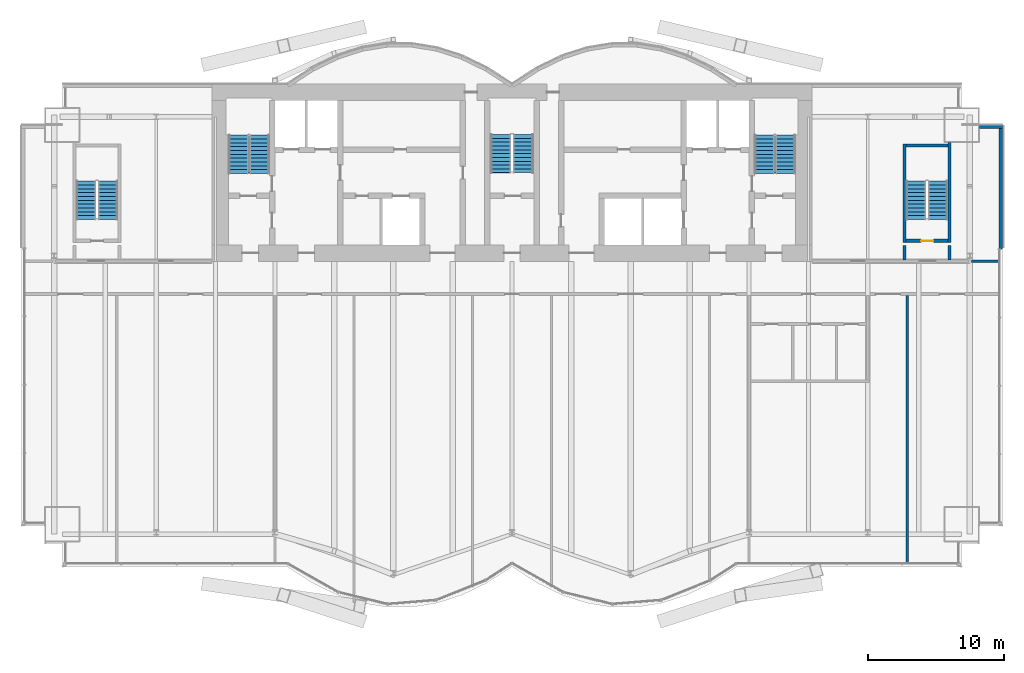
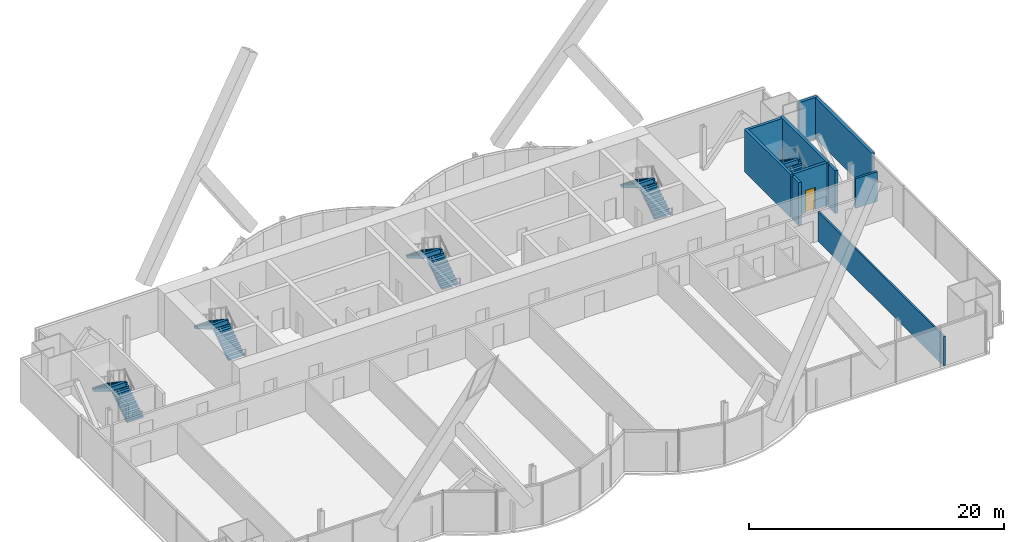
# One storey, part 20 of 23: 10 stair flights, 10 walls, 1 door, 1 opening, 5 elements without a shape of their own.
"""IFC4 building model written with IfcOpenShell, lengths in metres."""

from ifc_helpers import new_model, si_unit, direction, frame, frame_2d, origin, place, context, subcontext, project, spatial, polyline, rectangle, outline, extrude, material, layer, layer_set, layer_usage, type_object, element, fill, aggregate, save


model = new_model("IFC4")

# Units and contexts
model_context = context("Model", 3, precision=1e-05, world=origin(), true_north=direction((0.0, 1.0)))
body_context = subcontext(model_context, "Body", "Model", "MODEL_VIEW")
ifc_project = project(units=[si_unit("LENGTHUNIT", "METRE"), si_unit("AREAUNIT", "SQUARE_METRE"), si_unit("VOLUMEUNIT", "CUBIC_METRE"), si_unit("PLANEANGLEUNIT", "RADIAN"), si_unit("MASSUNIT", "GRAM", prefix="KILO")], contexts=[model_context])

# Site, building, storey
site_placement = place(None, origin())
site = spatial("IfcSite", under=ifc_project, at=site_placement, CompositionType="ELEMENT")
building_placement = place(site_placement, origin())
building = spatial("IfcBuilding", under=site, at=building_placement, Name="Bicima Exchange Tower", CompositionType="ELEMENT")
storey_placement = place(building_placement, frame((0.0, 0.0, 152.699951171875)))
storey = spatial("IfcBuildingStorey", under=building, at=storey_placement, Name="L33", CompositionType="ELEMENT", Elevation=152.699951171875)

# Walls
ifc_material_1 = material(Name="Gypsum board partition")
ifc_layer_1 = layer(ifc_material_1, 0.199951171875)
ifc_layer_set_1 = layer_set([ifc_layer_1], Name="Gypsum board partition")
wall_type_1 = type_object("IfcWallType", Name="Fire-rated gypsum partition 200 EI60", PredefinedType="PARTITIONING", material=ifc_layer_set_1)
wall_1_placement = place(storey_placement, frame((33.719970703125, -13.0, 0.0), z_axis=(0.0, 0.0, 1.0), x_axis=(1.0, 0.0, 0.0)))
element("IfcWall", 1, at=wall_1_placement, inside=storey, type_object=wall_type_1, Name="partition wall 7", PredefinedType="PARTITIONING", context=body_context, shape_type="SweptSolid", body=[
    extrude(rectangle(XDim=1.9599609375, YDim=0.199951171875, at=frame_2d((0.97998046875, 0.0))), origin(), (0.0, 0.0, 1.0), 2.84033203125),
])
ifc_layer_2 = layer(ifc_material_1, 0.14990234375)
ifc_layer_set_2 = layer_set([ifc_layer_2], Name="Gypsum board partition")
wall_type_2 = type_object("IfcWallType", Name="Gypsum partition 150", PredefinedType="PARTITIONING", material=ifc_layer_set_2)
wall_2_placement = place(storey_placement, frame((29.0, -35.199951171875, 0.0), z_axis=(0.0, 0.0, 1.0), x_axis=(0.0, 1.0, 0.0)))
element("IfcWall", 2, at=wall_2_placement, inside=storey, type_object=wall_type_2, Name="partition wall 29", PredefinedType="PARTITIONING", context=body_context, shape_type="SweptSolid", body=[
    extrude(rectangle(XDim=19.699951171875, YDim=0.14990234375, at=frame_2d((9.85009765625, 0.0))), origin(), (0.0, 0.0, 1.0), 2.84033203125),
])
ifc_material_2 = material(Name="Concrete C50/60", Category="concrete")
ifc_layer_3 = layer(ifc_material_2, 0.25)
ifc_layer_set_3 = layer_set([ifc_layer_3], Name="Concrete C50/60")
wall_type_3 = type_object("IfcWallType", Name="RC core wall 250 C50/60", PredefinedType="SHEAR", material=ifc_layer_set_3)
for number, where, z_axis, x_axis, name in (
    (3, (28.800048828125, -12.89990234375, 0.0), (0.0, 0.0, 1.0), (0.0, 1.0, 0.0), "stair wall 28"),
    (4, (32.10009765625, -12.89990234375, 0.0), (0.0, 0.0, 1.0), (0.0, 1.0, 0.0), "stair wall 30"),
):
    element("IfcWall", number, at=place(storey_placement, frame(where, z_axis=z_axis, x_axis=x_axis)), inside=storey, type_object=wall_type_3, Name=name, PredefinedType="SHEAR", context=body_context, shape_type="SweptSolid", body=[
        extrude(rectangle(XDim=1.0498046875, YDim=0.25, at=frame_2d((0.52490234375, 0.0))), origin(), (0.0, 0.0, 1.0), 4.10009765625),
    ])
ifc_layer_4 = layer(ifc_material_2, 0.25)
ifc_layer_set_4 = layer_set([ifc_layer_4], Name="Concrete C50/60")
wall_type_4 = type_object("IfcWallType", Name="RC stair enclosure wall 250 C50/60", PredefinedType="SHEAR", material=ifc_layer_set_4)
wall_3_placement = place(storey_placement, frame((28.800048828125, -11.625, 0.0), z_axis=(0.0, 0.0, 1.0), x_axis=(0.0, 1.0, 0.0)))
element("IfcWall", 5, at=wall_3_placement, inside=storey, type_object=wall_type_4, Name="East end exit stair wall W", PredefinedType="SHEAR", context=body_context, shape_type="SweptSolid", body=[
    extrude(rectangle(XDim=7.25, YDim=0.25, at=frame_2d((3.625, 0.0))), origin(), (0.0, 0.0, 1.0), 4.10009765625),
])
wall_4_placement = place(storey_placement, frame((32.10009765625, -11.625, 0.0), z_axis=(0.0, 0.0, 1.0), x_axis=(0.0, 1.0, 0.0)))
element("IfcWall", 6, at=wall_4_placement, inside=storey, type_object=wall_type_4, Name="East end exit stair wall E", PredefinedType="SHEAR", context=body_context, shape_type="SweptSolid", body=[
    extrude(rectangle(XDim=7.324951171875, YDim=0.25, at=frame_2d((3.66259765625, 0.0))), origin(), (0.0, 0.0, 1.0), 4.10009765625),
])

# Wall, opening, door
wall_5_placement = place(storey_placement, frame((28.925048828125, -11.5, 0.0), z_axis=(0.0, 0.0, 1.0), x_axis=(1.0, 0.0, 0.0)))
wall_5 = element("IfcWall", 7, at=wall_5_placement, inside=storey, type_object=wall_type_4, Name="East end exit stair wall S", PredefinedType="SHEAR", context=body_context, shape_type="SweptSolid", body=[
    extrude(rectangle(XDim=3.050048828125, YDim=0.25, at=frame_2d((1.52490234375, 0.0))), origin(), (0.0, 0.0, 1.0), 4.10009765625),
])
opening_placement = place(wall_5_placement, frame((1.10009765625, 0.0, 0.0)))
opening = element("IfcOpeningElement", 8, at=opening_placement, cuts=wall_5, Name="Opening L33-004", PredefinedType="OPENING", context=body_context, shape_type="SweptSolid", body=[
    extrude(rectangle(XDim=0.89990234375, YDim=2.10009765625, at=frame_2d((0.449951171875, 1.050048828125))), frame((0.0, 0.136962890625, 0.0), z_axis=(0.0, -1.0, 0.0), x_axis=(1.0, 0.0, 0.0)), (0.0, 0.0, 1.0), 0.27392578125),
])
ifc_material_3 = material(Name="Steel fire door leaf", Category="steel")
door_type = type_object("IfcDoorType", Name="Door 900 swing FD60S", OperationType="SINGLE_SWING_LEFT", PredefinedType="DOOR", material=ifc_material_3)
door_placement = place(opening_placement, origin())
door = element("IfcDoor", 9, at=door_placement, inside=storey, type_object=door_type, Name="Door", OperationType="SINGLE_SWING_LEFT", OverallHeight=2.10009765625, OverallWidth=0.89990234375, PredefinedType="DOOR", context=body_context, shape_type="SweptSolid", body=[
    extrude(rectangle(XDim=0.89990234375, YDim=2.10009765625, at=frame_2d((0.449951171875, 1.050048828125))), frame((0.0, 0.02490234375, 0.0), z_axis=(0.0, -1.0, 0.0), x_axis=(1.0, 0.0, 0.0)), (0.0, 0.0, 1.0), 0.050048828125),
])
fill(opening, door)

# Walls
wall_6_placement = place(storey_placement, frame((28.925048828125, -4.5, 0.0), z_axis=(0.0, 0.0, 1.0), x_axis=(1.0, 0.0, 0.0)))
element("IfcWall", 10, at=wall_6_placement, inside=storey, type_object=wall_type_4, Name="East end exit stair wall N", PredefinedType="SHEAR", context=body_context, shape_type="SweptSolid", body=[
    extrude(rectangle(XDim=3.050048828125, YDim=0.25, at=frame_2d((1.52490234375, 0.0))), origin(), (0.0, 0.0, 1.0), 4.10009765625),
])
ifc_material_4 = material(Name="Concrete C40/50", Category="concrete")
ifc_layer_5 = layer(ifc_material_4, 0.25)
ifc_layer_set_5 = layer_set([ifc_layer_5], Name="Concrete C40/50")
ifc_layer_usage = layer_usage(ifc_layer_set_5, "AXIS2", "POSITIVE", -0.125)
wall_type_5 = type_object("IfcWallType", Name="Rear backup wall 250", PredefinedType="STANDARD", material=ifc_layer_set_5)
wall_7_placement = place(storey_placement, frame((35.875, -12.090087890625, 0.0), z_axis=(0.0, 0.0, 1.0), x_axis=(0.0, 1.0, 0.0)))
element("IfcWall", 11, at=wall_7_placement, inside=storey, type_object=wall_type_5, material=ifc_layer_usage, Name="Rear backup wall L33 50", PredefinedType="STANDARD", context=body_context, shape_type="SweptSolid", body=[
    extrude(rectangle(XDim=9.090087890625, YDim=0.25, at=frame_2d((4.544921875, 0.0))), origin(), (0.0, 0.0, 1.0), 3.949951171875),
])
wall_8_placement = place(storey_placement, frame((36.0, -3.125, 0.0), z_axis=(0.0, 0.0, 1.0), x_axis=(-1.0, 0.0, 0.0)))
element("IfcWall", 12, at=wall_8_placement, inside=storey, type_object=wall_type_5, material=ifc_layer_usage, Name="Rear backup wall L33 51", PredefinedType="STANDARD", context=body_context, shape_type="SweptSolid", body=[
    extrude(rectangle(XDim=1.699951171875, YDim=0.25, at=frame_2d((0.85009765625, 0.0))), origin(), (0.0, 0.0, 1.0), 3.949951171875),
])

# Stair, stair flights
stair_type_1 = type_object("IfcStairType", Name="Exit stair", PredefinedType="HALF_TURN_STAIR", material=ifc_material_2)
stair_1_placement = place(storey_placement, origin())
stair_1 = element("IfcStair", 13, at=stair_1_placement, inside=storey, type_object=stair_type_1, Name="L33 West exit stair", PredefinedType="HALF_TURN_STAIR")
stair_flight_type_1 = type_object("IfcStairFlightType", Name="Stair flight RC", PredefinedType="STRAIGHT", material=ifc_material_2)
stair_flight_1_placement = place(storey_placement, frame((-18.52490234375, -6.550048828125, 0.0), z_axis=(0.0, 0.0, 1.0), x_axis=(0.0, 1.0, 0.0)))
stair_flight_1 = element("IfcStairFlight", 14, at=stair_flight_1_placement, type_object=stair_flight_type_1, Name="ST-W flight 1", NumberOfRisers=11, NumberOfTreads=10, PredefinedType="STRAIGHT", RiserHeight=0.186363636, TreadLength=0.28, context=body_context, shape_type="SweptSolid", body=[
    extrude(outline(polyline([(0.0, 0.0), (0.0, 0.186279296875), (0.280029296875, 0.186279296875), (0.280029296875, 0.372802734375), (0.56005859375, 0.372802734375), (0.56005859375, 0.55908203125), (0.840087890625, 0.55908203125), (0.840087890625, 0.745361328125), (1.1201171875, 0.745361328125), (1.1201171875, 0.931884765625), (1.39990234375, 0.931884765625), (1.39990234375, 1.1181640625), (1.679931640625, 1.1181640625), (1.679931640625, 1.304443359375), (1.9599609375, 1.304443359375), (1.9599609375, 1.490966796875), (2.239990234375, 1.490966796875), (2.239990234375, 1.67724609375), (2.52001953125, 1.67724609375), (2.52001953125, 1.863525390625), (2.800048828125, 1.863525390625), (2.800048828125, 2.050048828125), (2.800048828125, 1.68359375), (0.2705078125, 0.0), (0.0, 0.0)])), frame((0.0, 0.72509765625, 0.0), z_axis=(0.0, -1.0, 0.0), x_axis=(1.0, 0.0, 0.0)), (0.0, 0.0, 1.0), 1.449951171875),
])
stair_flight_2_placement = place(storey_placement, frame((-20.074951171875, -3.75, 2.050048828125), z_axis=(0.0, 0.0, 1.0), x_axis=(0.0, -1.0, 0.0)))
stair_flight_2 = element("IfcStairFlight", 15, at=stair_flight_2_placement, type_object=stair_flight_type_1, Name="ST-W flight 2", NumberOfRisers=11, NumberOfTreads=10, PredefinedType="STRAIGHT", RiserHeight=0.186363636, TreadLength=0.28, context=body_context, shape_type="SweptSolid", body=[
    extrude(outline(polyline([(0.0, 0.0), (0.0, 0.186279296875), (0.280029296875, 0.186279296875), (0.280029296875, 0.372802734375), (0.56005859375, 0.372802734375), (0.56005859375, 0.55908203125), (0.840087890625, 0.55908203125), (0.840087890625, 0.745361328125), (1.1201171875, 0.745361328125), (1.1201171875, 0.931884765625), (1.39990234375, 0.931884765625), (1.39990234375, 1.1181640625), (1.679931640625, 1.1181640625), (1.679931640625, 1.304443359375), (1.9599609375, 1.304443359375), (1.9599609375, 1.490966796875), (2.239990234375, 1.490966796875), (2.239990234375, 1.67724609375), (2.52001953125, 1.67724609375), (2.52001953125, 1.863525390625), (2.800048828125, 1.863525390625), (2.800048828125, 1.904052734375), (2.81494140625, 1.904052734375), (2.81494140625, 1.507080078125), (0.2705078125, 0.0), (0.0, 0.0)])), frame((0.0, 0.72509765625, 0.0), z_axis=(0.0, -1.0, 0.0), x_axis=(1.0, 0.0, 0.0)), (0.0, 0.0, 1.0), 1.449951171875),
])
aggregate(stair_1, [stair_flight_1, stair_flight_2])

stair_2_placement = place(storey_placement, origin())
stair_2 = element("IfcStair", 16, at=stair_2_placement, inside=storey, type_object=stair_type_1, Name="L33 East exit stair", PredefinedType="HALF_TURN_STAIR")
stair_flight_3_placement = place(storey_placement, frame((20.074951171875, -6.550048828125, 0.0), z_axis=(0.0, 0.0, 1.0), x_axis=(0.0, 1.0, 0.0)))
stair_flight_3 = element("IfcStairFlight", 17, at=stair_flight_3_placement, type_object=stair_flight_type_1, Name="ST-E flight 1", NumberOfRisers=11, NumberOfTreads=10, PredefinedType="STRAIGHT", RiserHeight=0.186363636, TreadLength=0.28, context=body_context, shape_type="SweptSolid", body=[
    extrude(outline(polyline([(0.0, 0.0), (0.0, 0.186279296875), (0.280029296875, 0.186279296875), (0.280029296875, 0.372802734375), (0.56005859375, 0.372802734375), (0.56005859375, 0.55908203125), (0.840087890625, 0.55908203125), (0.840087890625, 0.745361328125), (1.1201171875, 0.745361328125), (1.1201171875, 0.931884765625), (1.39990234375, 0.931884765625), (1.39990234375, 1.1181640625), (1.679931640625, 1.1181640625), (1.679931640625, 1.304443359375), (1.9599609375, 1.304443359375), (1.9599609375, 1.490966796875), (2.239990234375, 1.490966796875), (2.239990234375, 1.67724609375), (2.52001953125, 1.67724609375), (2.52001953125, 1.863525390625), (2.800048828125, 1.863525390625), (2.800048828125, 2.050048828125), (2.800048828125, 1.68359375), (0.2705078125, 0.0), (0.0, 0.0)])), frame((0.0, 0.72509765625, 0.0), z_axis=(0.0, -1.0, 0.0), x_axis=(1.0, 0.0, 0.0)), (0.0, 0.0, 1.0), 1.449951171875),
])
stair_flight_4_placement = place(storey_placement, frame((18.52490234375, -3.75, 2.050048828125), z_axis=(0.0, 0.0, 1.0), x_axis=(0.0, -1.0, 0.0)))
stair_flight_4 = element("IfcStairFlight", 18, at=stair_flight_4_placement, type_object=stair_flight_type_1, Name="ST-E flight 2", NumberOfRisers=11, NumberOfTreads=10, PredefinedType="STRAIGHT", RiserHeight=0.186363636, TreadLength=0.28, context=body_context, shape_type="SweptSolid", body=[
    extrude(outline(polyline([(0.0, 0.0), (0.0, 0.186279296875), (0.280029296875, 0.186279296875), (0.280029296875, 0.372802734375), (0.56005859375, 0.372802734375), (0.56005859375, 0.55908203125), (0.840087890625, 0.55908203125), (0.840087890625, 0.745361328125), (1.1201171875, 0.745361328125), (1.1201171875, 0.931884765625), (1.39990234375, 0.931884765625), (1.39990234375, 1.1181640625), (1.679931640625, 1.1181640625), (1.679931640625, 1.304443359375), (1.9599609375, 1.304443359375), (1.9599609375, 1.490966796875), (2.239990234375, 1.490966796875), (2.239990234375, 1.67724609375), (2.52001953125, 1.67724609375), (2.52001953125, 1.863525390625), (2.800048828125, 1.863525390625), (2.800048828125, 1.904052734375), (2.81494140625, 1.904052734375), (2.81494140625, 1.507080078125), (0.2705078125, 0.0), (0.0, 0.0)])), frame((0.0, 0.72509765625, 0.0), z_axis=(0.0, -1.0, 0.0), x_axis=(1.0, 0.0, 0.0)), (0.0, 0.0, 1.0), 1.449951171875),
])
aggregate(stair_2, [stair_flight_3, stair_flight_4])

stair_3_placement = place(storey_placement, origin())
stair_3 = element("IfcStair", 19, at=stair_3_placement, inside=storey, type_object=stair_type_1, Name="L33 West end exit stair", PredefinedType="HALF_TURN_STAIR")
stair_flight_5_placement = place(storey_placement, frame((-29.64990234375, -9.925048828125, 0.0), z_axis=(0.0, 0.0, 1.0), x_axis=(0.0, 1.0, 0.0)))
stair_flight_5 = element("IfcStairFlight", 20, at=stair_flight_5_placement, type_object=stair_flight_type_1, Name="ST-WW flight 1", NumberOfRisers=11, NumberOfTreads=10, PredefinedType="STRAIGHT", RiserHeight=0.186363636, TreadLength=0.28, context=body_context, shape_type="SweptSolid", body=[
    extrude(outline(polyline([(0.0, 0.0), (0.0, 0.186279296875), (0.280029296875, 0.186279296875), (0.280029296875, 0.372802734375), (0.56005859375, 0.372802734375), (0.56005859375, 0.55908203125), (0.840087890625, 0.55908203125), (0.840087890625, 0.745361328125), (1.1201171875, 0.745361328125), (1.1201171875, 0.931884765625), (1.39990234375, 0.931884765625), (1.39990234375, 1.1181640625), (1.679931640625, 1.1181640625), (1.679931640625, 1.304443359375), (1.9599609375, 1.304443359375), (1.9599609375, 1.490966796875), (2.239990234375, 1.490966796875), (2.239990234375, 1.67724609375), (2.52001953125, 1.67724609375), (2.52001953125, 1.863525390625), (2.800048828125, 1.863525390625), (2.800048828125, 2.050048828125), (2.800048828125, 1.68359375), (0.2705078125, 0.0), (0.0, 0.0)])), frame((0.0, 0.72509765625, 0.0), z_axis=(0.0, -1.0, 0.0), x_axis=(1.0, 0.0, 0.0)), (0.0, 0.0, 1.0), 1.449951171875),
])
stair_flight_6_placement = place(storey_placement, frame((-31.25, -7.125, 2.050048828125), z_axis=(0.0, 0.0, 1.0), x_axis=(0.0, -1.0, 0.0)))
stair_flight_6 = element("IfcStairFlight", 21, at=stair_flight_6_placement, type_object=stair_flight_type_1, Name="ST-WW flight 2", NumberOfRisers=11, NumberOfTreads=10, PredefinedType="STRAIGHT", RiserHeight=0.186363636, TreadLength=0.28, context=body_context, shape_type="SweptSolid", body=[
    extrude(outline(polyline([(0.0, 0.0), (0.0, 0.186279296875), (0.280029296875, 0.186279296875), (0.280029296875, 0.372802734375), (0.56005859375, 0.372802734375), (0.56005859375, 0.55908203125), (0.840087890625, 0.55908203125), (0.840087890625, 0.745361328125), (1.1201171875, 0.745361328125), (1.1201171875, 0.931884765625), (1.39990234375, 0.931884765625), (1.39990234375, 1.1181640625), (1.679931640625, 1.1181640625), (1.679931640625, 1.304443359375), (1.9599609375, 1.304443359375), (1.9599609375, 1.490966796875), (2.239990234375, 1.490966796875), (2.239990234375, 1.67724609375), (2.52001953125, 1.67724609375), (2.52001953125, 1.863525390625), (2.800048828125, 1.863525390625), (2.800048828125, 1.904052734375), (2.81494140625, 1.904052734375), (2.81494140625, 1.507080078125), (0.2705078125, 0.0), (0.0, 0.0)])), frame((0.0, 0.72509765625, 0.0), z_axis=(0.0, -1.0, 0.0), x_axis=(1.0, 0.0, 0.0)), (0.0, 0.0, 1.0), 1.449951171875),
])
aggregate(stair_3, [stair_flight_5, stair_flight_6])

stair_4_placement = place(storey_placement, origin())
stair_4 = element("IfcStair", 22, at=stair_4_placement, inside=storey, type_object=stair_type_1, Name="L33 East end exit stair", PredefinedType="HALF_TURN_STAIR")
stair_flight_7_placement = place(storey_placement, frame((31.25, -9.925048828125, 0.0), z_axis=(0.0, 0.0, 1.0), x_axis=(0.0, 1.0, 0.0)))
stair_flight_7 = element("IfcStairFlight", 23, at=stair_flight_7_placement, type_object=stair_flight_type_1, Name="ST-EE flight 1", NumberOfRisers=11, NumberOfTreads=10, PredefinedType="STRAIGHT", RiserHeight=0.186363636, TreadLength=0.28, context=body_context, shape_type="SweptSolid", body=[
    extrude(outline(polyline([(0.0, 0.0), (0.0, 0.186279296875), (0.280029296875, 0.186279296875), (0.280029296875, 0.372802734375), (0.56005859375, 0.372802734375), (0.56005859375, 0.55908203125), (0.840087890625, 0.55908203125), (0.840087890625, 0.745361328125), (1.1201171875, 0.745361328125), (1.1201171875, 0.931884765625), (1.39990234375, 0.931884765625), (1.39990234375, 1.1181640625), (1.679931640625, 1.1181640625), (1.679931640625, 1.304443359375), (1.9599609375, 1.304443359375), (1.9599609375, 1.490966796875), (2.239990234375, 1.490966796875), (2.239990234375, 1.67724609375), (2.52001953125, 1.67724609375), (2.52001953125, 1.863525390625), (2.800048828125, 1.863525390625), (2.800048828125, 2.050048828125), (2.800048828125, 1.68359375), (0.2705078125, 0.0), (0.0, 0.0)])), frame((0.0, 0.72509765625, 0.0), z_axis=(0.0, -1.0, 0.0), x_axis=(1.0, 0.0, 0.0)), (0.0, 0.0, 1.0), 1.449951171875),
])
stair_flight_8_placement = place(storey_placement, frame((29.64990234375, -7.125, 2.050048828125), z_axis=(0.0, 0.0, 1.0), x_axis=(0.0, -1.0, 0.0)))
stair_flight_8 = element("IfcStairFlight", 24, at=stair_flight_8_placement, type_object=stair_flight_type_1, Name="ST-EE flight 2", NumberOfRisers=11, NumberOfTreads=10, PredefinedType="STRAIGHT", RiserHeight=0.186363636, TreadLength=0.28, context=body_context, shape_type="SweptSolid", body=[
    extrude(outline(polyline([(0.0, 0.0), (0.0, 0.186279296875), (0.280029296875, 0.186279296875), (0.280029296875, 0.372802734375), (0.56005859375, 0.372802734375), (0.56005859375, 0.55908203125), (0.840087890625, 0.55908203125), (0.840087890625, 0.745361328125), (1.1201171875, 0.745361328125), (1.1201171875, 0.931884765625), (1.39990234375, 0.931884765625), (1.39990234375, 1.1181640625), (1.679931640625, 1.1181640625), (1.679931640625, 1.304443359375), (1.9599609375, 1.304443359375), (1.9599609375, 1.490966796875), (2.239990234375, 1.490966796875), (2.239990234375, 1.67724609375), (2.52001953125, 1.67724609375), (2.52001953125, 1.863525390625), (2.800048828125, 1.863525390625), (2.800048828125, 1.904052734375), (2.81494140625, 1.904052734375), (2.81494140625, 1.507080078125), (0.2705078125, 0.0), (0.0, 0.0)])), frame((0.0, 0.72509765625, 0.0), z_axis=(0.0, -1.0, 0.0), x_axis=(1.0, 0.0, 0.0)), (0.0, 0.0, 1.0), 1.449951171875),
])
aggregate(stair_4, [stair_flight_7, stair_flight_8])

stair_type_2 = type_object("IfcStairType", Name="Exit stair 1500", PredefinedType="HALF_TURN_STAIR", material=ifc_material_2)
stair_5_placement = place(storey_placement, origin())
stair_5 = element("IfcStair", 25, at=stair_5_placement, inside=storey, type_object=stair_type_2, Name="L33 Central exit stair", PredefinedType="HALF_TURN_STAIR")
stair_flight_type_2 = type_object("IfcStairFlightType", Name="Stair flight RC 1500", PredefinedType="STRAIGHT", material=ifc_material_2)
stair_flight_9_placement = place(storey_placement, frame((0.824951171875, -6.5, 0.0), z_axis=(0.0, 0.0, 1.0), x_axis=(0.0, 1.0, 0.0)))
stair_flight_9 = element("IfcStairFlight", 26, at=stair_flight_9_placement, type_object=stair_flight_type_2, Name="ST-C flight 1", NumberOfRisers=11, NumberOfTreads=10, PredefinedType="STRAIGHT", RiserHeight=0.186363636, TreadLength=0.28, context=body_context, shape_type="SweptSolid", body=[
    extrude(outline(polyline([(0.0, 0.0), (0.0, 0.186279296875), (0.280029296875, 0.186279296875), (0.280029296875, 0.372802734375), (0.56005859375, 0.372802734375), (0.56005859375, 0.55908203125), (0.840087890625, 0.55908203125), (0.840087890625, 0.745361328125), (1.1201171875, 0.745361328125), (1.1201171875, 0.931884765625), (1.39990234375, 0.931884765625), (1.39990234375, 1.1181640625), (1.679931640625, 1.1181640625), (1.679931640625, 1.304443359375), (1.9599609375, 1.304443359375), (1.9599609375, 1.490966796875), (2.239990234375, 1.490966796875), (2.239990234375, 1.67724609375), (2.52001953125, 1.67724609375), (2.52001953125, 1.863525390625), (2.800048828125, 1.863525390625), (2.800048828125, 2.050048828125), (2.800048828125, 1.68359375), (0.2705078125, 0.0), (0.0, 0.0)])), frame((0.0, 0.75, 0.0), z_axis=(0.0, -1.0, 0.0), x_axis=(1.0, 0.0, 0.0)), (0.0, 0.0, 1.0), 1.5),
])
stair_flight_10_placement = place(storey_placement, frame((-0.824951171875, -3.699951171875, 2.050048828125), z_axis=(0.0, 0.0, 1.0), x_axis=(0.0, -1.0, 0.0)))
stair_flight_10 = element("IfcStairFlight", 27, at=stair_flight_10_placement, type_object=stair_flight_type_2, Name="ST-C flight 2", NumberOfRisers=11, NumberOfTreads=10, PredefinedType="STRAIGHT", RiserHeight=0.186363636, TreadLength=0.28, context=body_context, shape_type="SweptSolid", body=[
    extrude(outline(polyline([(0.0, 0.0), (0.0, 0.186279296875), (0.280029296875, 0.186279296875), (0.280029296875, 0.372802734375), (0.56005859375, 0.372802734375), (0.56005859375, 0.55908203125), (0.840087890625, 0.55908203125), (0.840087890625, 0.745361328125), (1.1201171875, 0.745361328125), (1.1201171875, 0.931884765625), (1.39990234375, 0.931884765625), (1.39990234375, 1.1181640625), (1.679931640625, 1.1181640625), (1.679931640625, 1.304443359375), (1.9599609375, 1.304443359375), (1.9599609375, 1.490966796875), (2.239990234375, 1.490966796875), (2.239990234375, 1.67724609375), (2.52001953125, 1.67724609375), (2.52001953125, 1.863525390625), (2.800048828125, 1.863525390625), (2.800048828125, 1.904052734375), (2.81494140625, 1.904052734375), (2.81494140625, 1.507080078125), (0.2705078125, 0.0), (0.0, 0.0)])), frame((0.0, 0.75, 0.0), z_axis=(0.0, -1.0, 0.0), x_axis=(1.0, 0.0, 0.0)), (0.0, 0.0, 1.0), 1.5),
])
aggregate(stair_5, [stair_flight_9, stair_flight_10])

save(model, "model.ifc")
